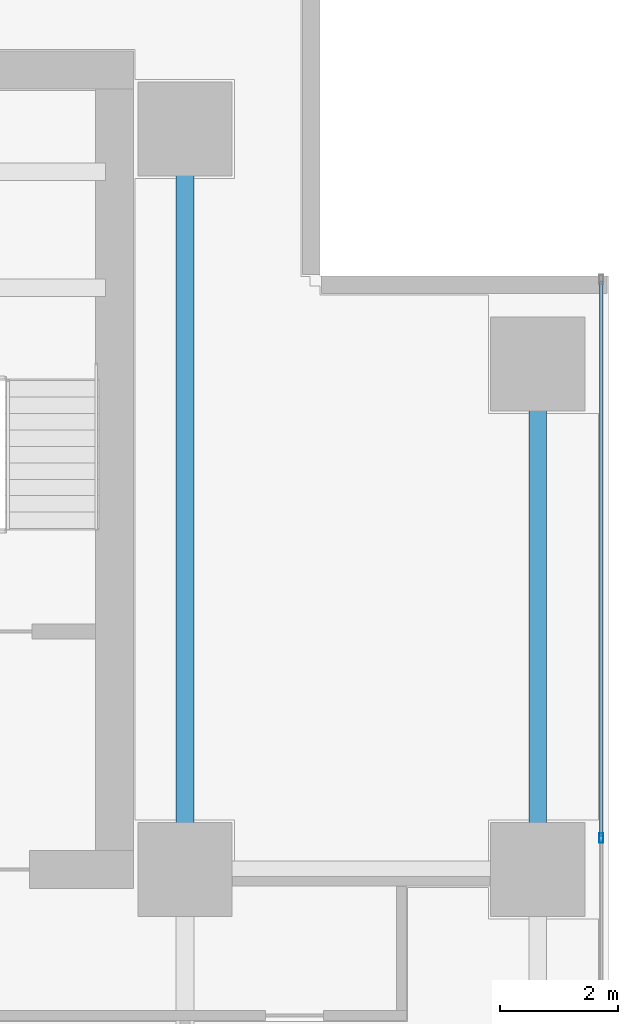
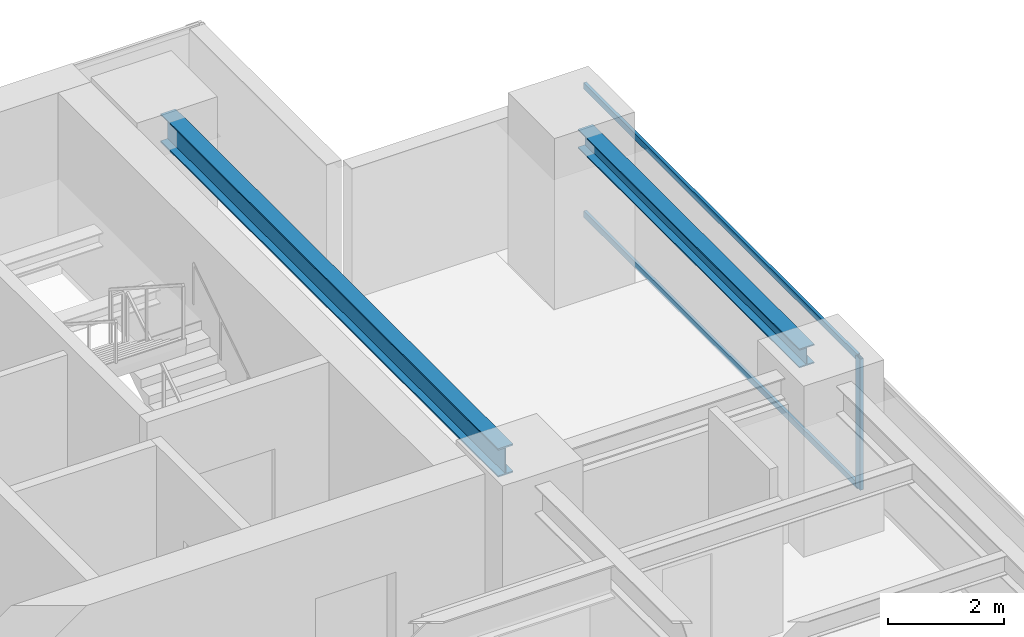
# One storey, part 18 of 27: 3 members, 2 beams, 1 element without a shape of its own.
"""IFC4 building model written with IfcOpenShell, lengths in metres."""

from ifc_helpers import new_model, si_unit, direction, frame, origin, origin_2d, place, context, subcontext, project, spatial, hollow_rectangle, i_section, extrude, source, transform, mapped, material, layer, layer_set, material_profile, profile_set, type_object, element, aggregate, save


model = new_model("IFC4")

# Units and contexts
model_context = context("Model", 3, precision=1e-05, world=origin(), true_north=direction((0.0, 1.0)))
body_context = subcontext(model_context, "Body", "Model", "MODEL_VIEW")
ifc_project = project(units=[si_unit("LENGTHUNIT", "METRE"), si_unit("AREAUNIT", "SQUARE_METRE"), si_unit("VOLUMEUNIT", "CUBIC_METRE"), si_unit("PLANEANGLEUNIT", "RADIAN"), si_unit("MASSUNIT", "GRAM", prefix="KILO")], contexts=[model_context])

# Site, building, storey
site_placement = place(None, origin())
site = spatial("IfcSite", under=ifc_project, at=site_placement, CompositionType="ELEMENT")
building_placement = place(site_placement, origin())
building = spatial("IfcBuilding", under=site, at=building_placement, Name="Sumidabori Civic Tower", CompositionType="ELEMENT")
storey_placement = place(building_placement, frame((0.0, 0.0, 164.0)))
storey = spatial("IfcBuildingStorey", under=building, at=storey_placement, Name="L42", CompositionType="ELEMENT", Elevation=164.0)

# Beams
ifc_material_1 = material(Name="Steel SN490", Category="steel")
ifc_material_profile_1 = material_profile(ifc_material_1, i_section(OverallWidth=0.300048828125, OverallDepth=0.39990234375, WebThickness=0.013427734375, FlangeThickness=0.02392578125, at=origin_2d()), Name="HE 400 B")
ifc_profile_set_1 = profile_set([ifc_material_profile_1], Name="Steel SN490")
beam_type_1 = type_object("IfcBeamType", Name="BM-GIRD-400", PredefinedType="BEAM", material=ifc_profile_set_1)
shared_shape_1 = source(origin(), body_context, "Body", "SweptSolid", [
    extrude(i_section(OverallWidth=0.300048828125, OverallDepth=0.39990234375, WebThickness=0.013427734375, FlangeThickness=0.02392578125, at=origin_2d()), origin(), (0.0, 0.0, 1.0), 7.64013671875),
])
beam_1_placement = place(storey_placement, frame((22.800048828125, 10.679931640625, 3.179931640625), z_axis=(0.0, 1.0, 0.0), x_axis=(-1.0, 0.0, 0.0)))
element("IfcBeam", 1, at=beam_1_placement, inside=storey, type_object=beam_type_1, Name="Primary Girder L42 GY-38", PredefinedType="BEAM", context=body_context, shape_type="MappedRepresentation", body=[
    mapped(shared_shape_1, transform((0.0, 0.0, 0.0), x_axis=(1.0, 0.0, 0.0), y_axis=(0.0, 1.0, 0.0), z_axis=(0.0, 0.0, 1.0), scale=1.0)),
])
ifc_material_profile_2 = material_profile(ifc_material_1, i_section(OverallWidth=0.300048828125, OverallDepth=0.60009765625, WebThickness=0.015380859375, FlangeThickness=0.030029296875, at=origin_2d()), Name="HE 600 B")
ifc_profile_set_2 = profile_set([ifc_material_profile_2], Name="Steel SN490")
beam_type_2 = type_object("IfcBeamType", Name="BM-GIRD-600", PredefinedType="BEAM", material=ifc_profile_set_2)
shared_shape_2 = source(origin(), body_context, "Body", "SweptSolid", [
    extrude(i_section(OverallWidth=0.300048828125, OverallDepth=0.60009765625, WebThickness=0.015380859375, FlangeThickness=0.030029296875, at=origin_2d()), origin(), (0.0, 0.0, 1.0), 11.64013671875),
])
beam_2_placement = place(storey_placement, frame((16.800048828125, 10.679931640625, 3.080078125), z_axis=(0.0, 1.0, 0.0), x_axis=(-1.0, 0.0, 0.0)))
element("IfcBeam", 2, at=beam_2_placement, inside=storey, type_object=beam_type_2, Name="Primary Girder L42 GY-35", PredefinedType="BEAM", context=body_context, shape_type="MappedRepresentation", body=[
    mapped(shared_shape_2, transform((0.0, 0.0, 0.0), x_axis=(1.0, 0.0, 0.0), y_axis=(0.0, 1.0, 0.0), z_axis=(0.0, 0.0, 1.0), scale=1.0)),
])

# Curtain wall, members
ifc_material_2 = material(Name="Anodised Bronze Aluminium AW-6063-T6", Category="aluminium")
ifc_layer = layer(ifc_material_2, 0.179931640625, Name="Anodised Bronze Aluminium AW-6063-T6")
ifc_layer_set = layer_set([ifc_layer], Name="Anodised Bronze Aluminium AW-6063-T6")
curtain_wall_type = type_object("IfcCurtainWallType", Name="CW-SYS-3", PredefinedType="NOTDEFINED", material=ifc_layer_set)
curtain_wall_placement = place(storey_placement, origin())
curtain_wall = element("IfcCurtainWall", 3, at=curtain_wall_placement, inside=storey, type_object=curtain_wall_type, Name="Curtain Wall CW:L42:R04", PredefinedType="NOTDEFINED")
ifc_material_profile_3 = material_profile(ifc_material_2, hollow_rectangle(XDim=0.06494140625, YDim=0.159912109375, WallThickness=0.0048828125, at=origin_2d()), Name="ALU MULLION 160x65")
ifc_profile_set_3 = profile_set([ifc_material_profile_3], Name="Anodised Bronze Aluminium AW-6063-T6")
member_type_1 = type_object("IfcMemberType", Name="CW-MUL-160", PredefinedType="MULLION", material=ifc_profile_set_3)
shared_shape_3 = source(origin(), body_context, "Body", "SweptSolid", [
    extrude(hollow_rectangle(XDim=0.06494140625, YDim=0.159912109375, WallThickness=0.0048828125, at=origin_2d()), origin(), (0.0, 0.0, 1.0), 2.760009765625),
])
member_1_placement = place(storey_placement, frame((23.8798828125, 10.735107421875, 0.0), z_axis=(0.0, 0.0, 1.0), x_axis=(-1.0, 0.0, 0.0)))
member_1 = element("IfcMember", 4, at=member_1_placement, type_object=member_type_1, Name="CW-3 mullion 4", PredefinedType="MULLION", context=body_context, shape_type="MappedRepresentation", body=[
    mapped(shared_shape_3, transform((0.0, 0.0, 0.0), x_axis=(1.0, 0.0, 0.0), y_axis=(0.0, 1.0, 0.0), z_axis=(0.0, 0.0, 1.0), scale=1.0)),
])
ifc_material_profile_4 = material_profile(ifc_material_2, hollow_rectangle(XDim=0.06005859375, YDim=0.1298828125, WallThickness=0.0048828125, at=origin_2d()), Name="ALU TRANSOM 130x60")
ifc_profile_set_4 = profile_set([ifc_material_profile_4], Name="Anodised Bronze Aluminium AW-6063-T6")
member_type_2 = type_object("IfcMemberType", Name="CW-TRN-130", PredefinedType="USERDEFINED", material=ifc_profile_set_4)
shared_shape_4 = source(origin(), body_context, "Body", "SweptSolid", [
    extrude(hollow_rectangle(XDim=0.06005859375, YDim=0.1298828125, WallThickness=0.0048828125, at=origin_2d()), origin(), (0.0, 0.0, 1.0), 9.4375),
])
member_2_placement = place(storey_placement, frame((23.8798828125, 10.767578125, 0.030029296875), z_axis=(0.0, 1.0, 0.0), x_axis=(-1.0, 0.0, 0.0)))
member_2 = element("IfcMember", 5, at=member_2_placement, type_object=member_type_2, Name="CW-3 transom 4.1", ObjectType="TRANSOM", PredefinedType="USERDEFINED", context=body_context, shape_type="MappedRepresentation", body=[
    mapped(shared_shape_4, transform((0.0, 0.0, 0.0), x_axis=(1.0, 0.0, 0.0), y_axis=(0.0, 1.0, 0.0), z_axis=(0.0, 0.0, 1.0), scale=1.0)),
])
member_3_placement = place(storey_placement, frame((23.8798828125, 10.767578125, 2.72998046875), z_axis=(0.0, 1.0, 0.0), x_axis=(-1.0, 0.0, 0.0)))
member_3 = element("IfcMember", 6, at=member_3_placement, type_object=member_type_2, Name="CW-3 transom 4.2", ObjectType="TRANSOM", PredefinedType="USERDEFINED", context=body_context, shape_type="MappedRepresentation", body=[
    mapped(shared_shape_4, transform((0.0, 0.0, 0.0), x_axis=(1.0, 0.0, 0.0), y_axis=(0.0, 1.0, 0.0), z_axis=(0.0, 0.0, 1.0), scale=1.0)),
])
aggregate(curtain_wall, [member_1, member_2, member_3])

save(model, "model.ifc")
